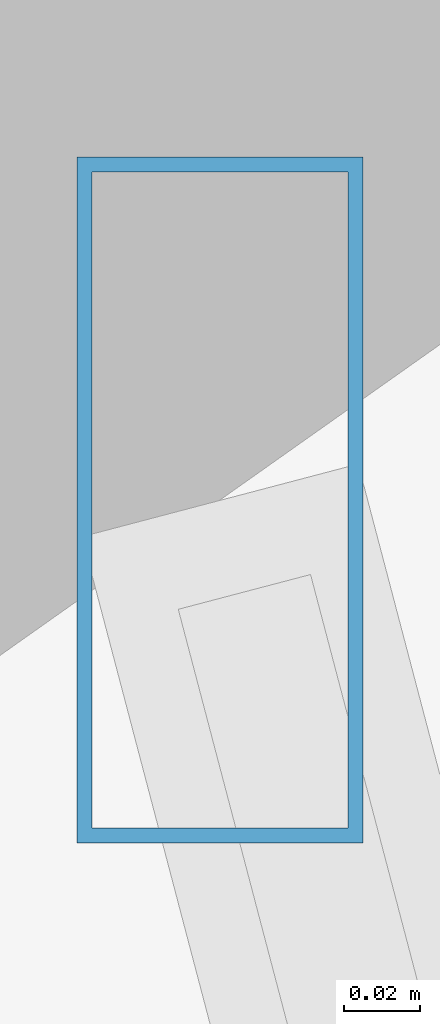
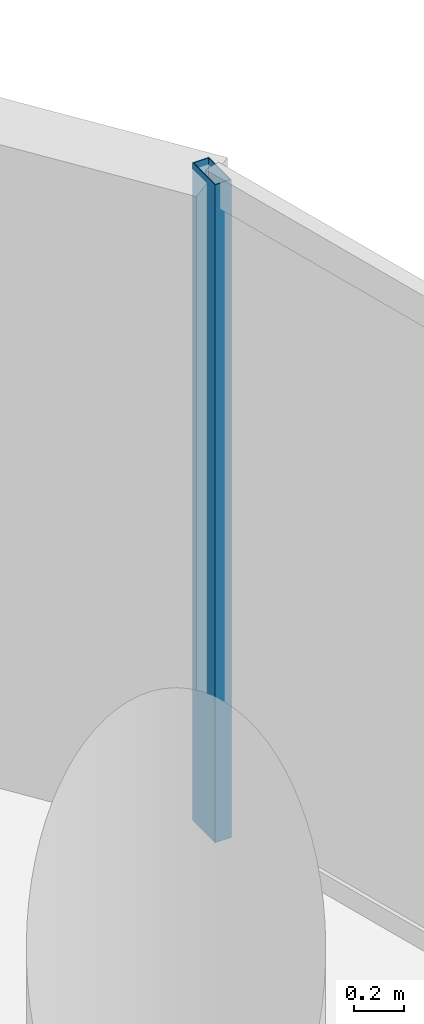
# One storey, part 18 of 34: 1 member, 1 element without a shape of its own.
"""IFC4 building model written with IfcOpenShell, lengths in metres."""

from ifc_helpers import new_model, si_unit, direction, frame, origin, origin_2d, place, context, subcontext, project, spatial, hollow_rectangle, extrude, material, material_profile, profile_set, type_object, element, aggregate, save


model = new_model("IFC4")

# Units and contexts
model_context = context("Model", 3, precision=1e-05, world=origin(), true_north=direction((0.0, 1.0)))
body_context = subcontext(model_context, "Body", "Model", "MODEL_VIEW")
ifc_project = project(units=[si_unit("LENGTHUNIT", "METRE"), si_unit("AREAUNIT", "SQUARE_METRE"), si_unit("VOLUMEUNIT", "CUBIC_METRE"), si_unit("PLANEANGLEUNIT", "RADIAN"), si_unit("MASSUNIT", "GRAM", prefix="KILO")], contexts=[model_context])

# Site, building, storey
site_placement = place(None, origin())
site = spatial("IfcSite", under=ifc_project, at=site_placement, CompositionType="ELEMENT")
building_placement = place(site_placement, origin())
building = spatial("IfcBuilding", under=site, at=building_placement, Name="Vorneva Point Tower", CompositionType="ELEMENT")
storey_placement = place(building_placement, frame((0.0, 0.0, 66.0)))
storey = spatial("IfcBuildingStorey", under=building, at=storey_placement, Name="L17", CompositionType="ELEMENT", Elevation=66.0)

# Curtain wall, member
ifc_material = material(Name="Pale anodised aluminium", Category="aluminium")
curtain_wall_type = type_object("IfcCurtainWallType", Name="CW-HTL-SYS", PredefinedType="NOTDEFINED", material=ifc_material)
curtain_wall_placement = place(storey_placement, origin())
curtain_wall = element("IfcCurtainWall", 1, at=curtain_wall_placement, inside=storey, type_object=curtain_wall_type, Name="L17 Unitised Curtain Wall CW-L17-R01", PredefinedType="NOTDEFINED")
ifc_material_profile = material_profile(ifc_material, hollow_rectangle(XDim=0.074951171875, YDim=0.179931640625, WallThickness=0.00390625, at=origin_2d()), Name="AL-MUL 180x75x4")
ifc_profile_set = profile_set([ifc_material_profile], Name="Pale anodised aluminium")
member_type = type_object("IfcMemberType", Name="CW-MUL-180", PredefinedType="MULLION", material=ifc_profile_set)
member_placement = place(storey_placement, frame((65.300537109375, 34.552978515625, -0.0400390625), z_axis=(0.0, 0.0, 1.0), x_axis=(1.0, 0.0, 0.0)))
member = element("IfcMember", 2, at=member_placement, type_object=member_type, Name="CW-L17-R01 Mullion 04", PredefinedType="MULLION", context=body_context, shape_type="SweptSolid", body=[
    extrude(hollow_rectangle(XDim=0.074951171875, YDim=0.179931640625, WallThickness=0.00390625, at=origin_2d()), origin(), (0.0, 0.0, 1.0), 3.219970703125),
])
aggregate(curtain_wall, [member])

save(model, "model.ifc")
